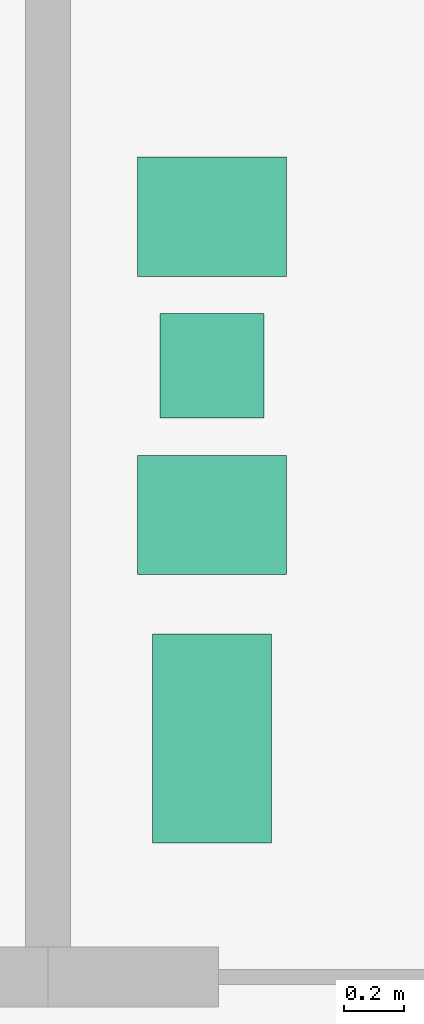
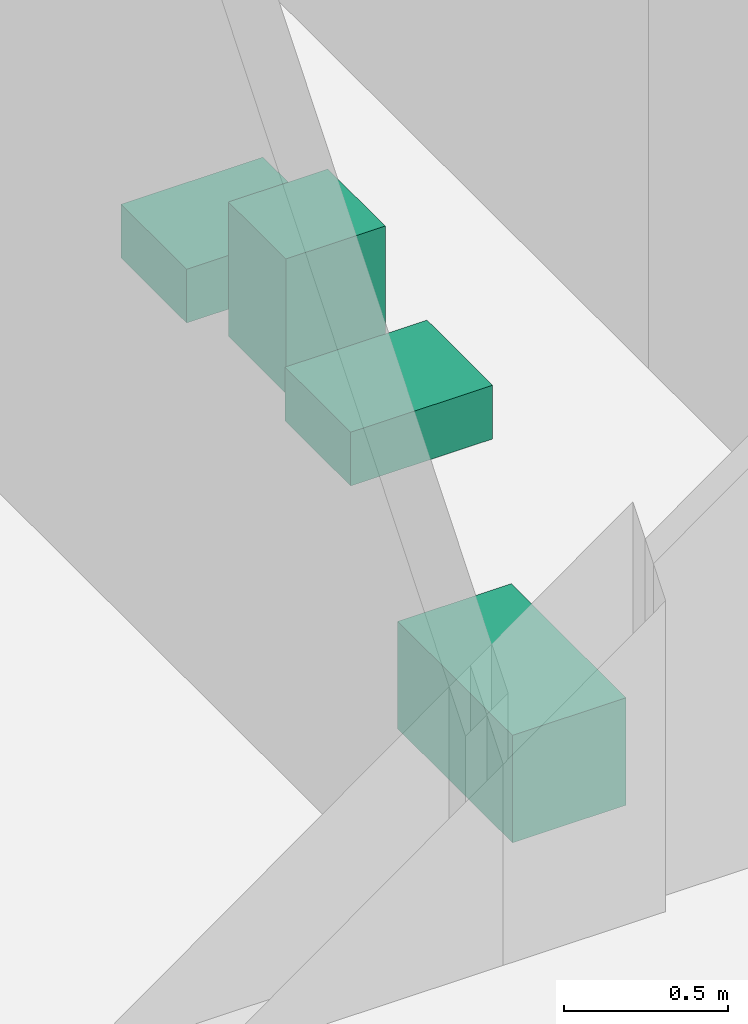
# One storey, part 21 of 22: 4 sanitary terminals.
"""IFC4 building model written with IfcOpenShell, lengths in metres."""

from ifc_helpers import new_model, si_unit, direction, frame, origin, origin_2d, place, context, subcontext, project, spatial, rectangle, extrude, material, type_object, element, save


model = new_model("IFC4")

# Units and contexts
model_context = context("Model", 3, precision=1e-05, world=origin(), true_north=direction((0.0, 1.0)))
body_context = subcontext(model_context, "Body", "Model", "MODEL_VIEW")
ifc_project = project(units=[si_unit("LENGTHUNIT", "METRE"), si_unit("AREAUNIT", "SQUARE_METRE"), si_unit("VOLUMEUNIT", "CUBIC_METRE"), si_unit("PLANEANGLEUNIT", "RADIAN"), si_unit("MASSUNIT", "GRAM", prefix="KILO")], contexts=[model_context])

# Site, building, storey
site_placement = place(None, origin())
site = spatial("IfcSite", under=ifc_project, at=site_placement, CompositionType="ELEMENT")
building_placement = place(site_placement, origin())
building = spatial("IfcBuilding", under=site, at=building_placement, Name="Ostrand Prow Hotel Tower", CompositionType="ELEMENT")
storey_placement = place(building_placement, origin())
storey = spatial("IfcBuildingStorey", under=building, at=storey_placement, Name="L00", CompositionType="ELEMENT", Elevation=0.0)

# Sanitary terminals
ifc_material_1 = material(Name="Vitreous china")
sanitary_terminal_type_1 = type_object("IfcSanitaryTerminalType", Name="Urinal 350x350", PredefinedType="URINAL", material=ifc_material_1)
sanitary_terminal_1_placement = place(storey_placement, frame((73.1806640625, 6.188720703125, 0.800048828125), z_axis=(0.0, 0.0, 1.0), x_axis=(1.0, 0.0, 0.0)))
element("IfcSanitaryTerminal", 1, at=sanitary_terminal_1_placement, inside=storey, type_object=sanitary_terminal_type_1, Name="URINAL", PredefinedType="URINAL", context=body_context, shape_type="SweptSolid", body=[
    extrude(rectangle(XDim=0.35009765625, YDim=0.35009765625, at=origin_2d()), origin(), (0.0, 0.0, 1.0), 0.5),
])
ifc_material_2 = material(Name="Vitreous china")
sanitary_terminal_type_2 = type_object("IfcSanitaryTerminalType", Name="WC pan 360x700", PredefinedType="TOILETPAN", material=ifc_material_2)
sanitary_terminal_2_placement = place(storey_placement, frame((73.1806640625, 4.938720703125, 0.0), z_axis=(0.0, 0.0, 1.0), x_axis=(1.0, 0.0, 0.0)))
element("IfcSanitaryTerminal", 2, at=sanitary_terminal_2_placement, inside=storey, type_object=sanitary_terminal_type_2, Name="PAN", PredefinedType="TOILETPAN", context=body_context, shape_type="SweptSolid", body=[
    extrude(rectangle(XDim=0.39990234375, YDim=0.699951171875, at=origin_2d()), origin(), (0.0, 0.0, 1.0), 0.39990234375),
])
ifc_material_3 = material(Name="Vitreous china")
sanitary_terminal_type_3 = type_object("IfcSanitaryTerminalType", Name="Wash hand basin 500x400", PredefinedType="WASHHANDBASIN", material=ifc_material_3)
for number, where, z_axis, x_axis, name in (
    (3, (73.1806640625, 5.688720703125, 0.7998046875), (0.0, 0.0, 1.0), (1.0, 0.0, 0.0), "WASH HAND BASIN"),
    (4, (73.1806640625, 6.688720703125, 0.7998046875), (0.0, 0.0, 1.0), (1.0, 0.0, 0.0), "WASH HAND BASIN"),
):
    element("IfcSanitaryTerminal", number, at=place(storey_placement, frame(where, z_axis=z_axis, x_axis=x_axis)), inside=storey, type_object=sanitary_terminal_type_3, Name=name, PredefinedType="WASHHANDBASIN", context=body_context, shape_type="SweptSolid", body=[
        extrude(rectangle(XDim=0.5, YDim=0.39990234375, at=origin_2d()), origin(), (0.0, 0.0, 1.0), 0.199951171875),
    ])

save(model, "model.ifc")
